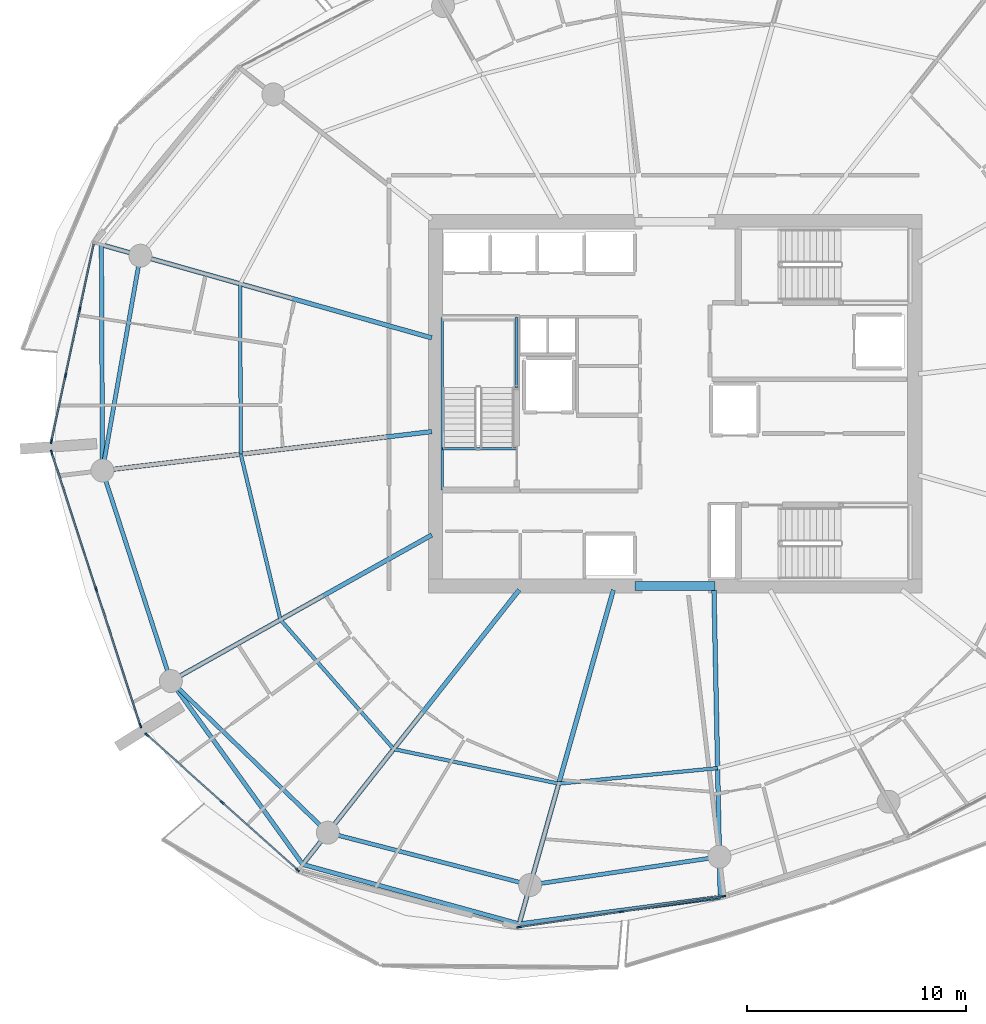
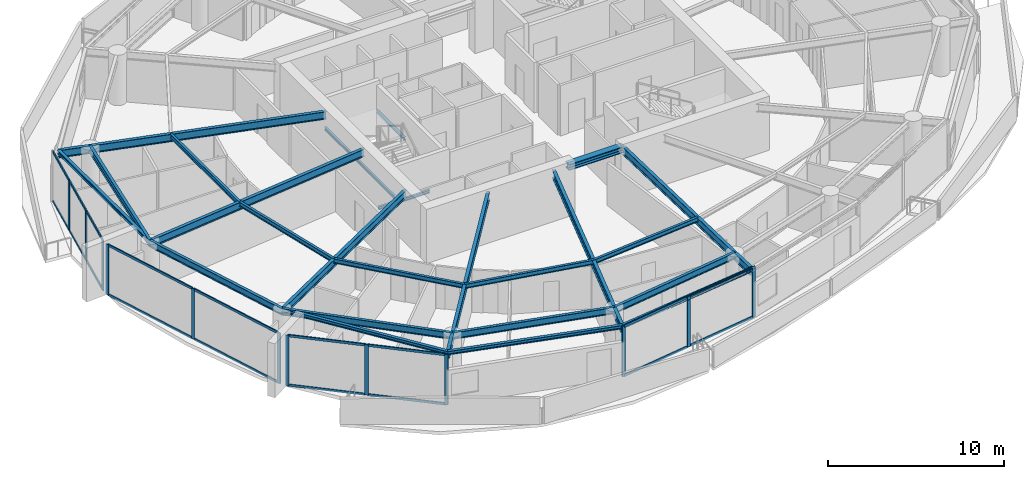
# One storey, part 5 of 20: 30 members, 24 beams, 4 elements without a shape of their own.
"""IFC4 building model written with IfcOpenShell, lengths in metres."""

from ifc_helpers import new_model, si_unit, direction, frame, origin, origin_2d, place, context, subcontext, project, spatial, rectangle, i_section, extrude, material, layer, layer_set, material_profile, profile_set, type_object, element, aggregate, save


model = new_model("IFC4")

# Units and contexts
model_context = context("Model", 3, precision=1e-05, world=origin(), true_north=direction((0.0, 1.0)))
body_context = subcontext(model_context, "Body", "Model", "MODEL_VIEW")
ifc_project = project(units=[si_unit("LENGTHUNIT", "METRE"), si_unit("AREAUNIT", "SQUARE_METRE"), si_unit("VOLUMEUNIT", "CUBIC_METRE"), si_unit("PLANEANGLEUNIT", "RADIAN"), si_unit("MASSUNIT", "GRAM", prefix="KILO")], contexts=[model_context])

# Site, building, storey
site_placement = place(None, origin())
site = spatial("IfcSite", under=ifc_project, at=site_placement, CompositionType="ELEMENT")
building_placement = place(site_placement, origin())
building = spatial("IfcBuilding", under=site, at=building_placement, Name="Kazma Halo Residences", CompositionType="ELEMENT")
storey_placement = place(building_placement, frame((0.0, 0.0, 210.300048828125)))
storey = spatial("IfcBuildingStorey", under=building, at=storey_placement, Name="L53", CompositionType="ELEMENT", Elevation=210.300048828125)

# Beams
ifc_material_1 = material(Name="Steel S355", Category="steel")
ifc_material_profile_1 = material_profile(ifc_material_1, i_section(OverallWidth=0.201904296875, OverallDepth=0.2470703125, WebThickness=0.00732421875, FlangeThickness=0.010986328125, FilletRadius=0.011962890625, at=origin_2d()), Name="W250x49.1")
ifc_profile_set_1 = profile_set([ifc_material_profile_1], Name="Steel S355")
beam_type_1 = type_object("IfcBeamType", Name="BM-BAL-CANT", PredefinedType="BEAM", material=ifc_profile_set_1)
for number, where, z_axis, x_axis, name in (
    (1, (22.19970703125, 49.276611328125, 3.37646484375), (0.004705663334, -0.999988928305, 0.0), (0.999988928305, 0.004705663334, 0.0), "L53 wave-balcony tie beam 07"),
    (2, (25.375, 29.329345703125, 3.37646484375), (0.583963922576, -0.811779611181, 0.0), (0.811779611181, 0.583963922576, 0.0), "L53 wave-balcony lead tie beam 09"),
):
    element("IfcBeam", number, at=place(storey_placement, frame(where, z_axis=z_axis, x_axis=x_axis)), inside=storey, type_object=beam_type_1, Name=name, PredefinedType="BEAM", context=body_context, shape_type="SweptSolid", body=[
        extrude(i_section(OverallWidth=0.201904296875, OverallDepth=0.2470703125, WebThickness=0.00732421875, FlangeThickness=0.010986328125, FilletRadius=0.011962890625, at=origin_2d()), origin(), (0.0, 0.0, 1.0), 10.324462890625),
    ])
beam_1_placement = place(storey_placement, frame((31.404052734375, 20.9482421875, 3.37646484375), z_axis=(0.964197026197, -0.265186905169, 0.0), x_axis=(0.265186905169, 0.964197026197, 0.0)))
element("IfcBeam", 3, at=beam_1_placement, inside=storey, type_object=beam_type_1, Name="L53 wave-balcony tie beam 10", PredefinedType="BEAM", context=body_context, shape_type="SweptSolid", body=[
    extrude(i_section(OverallWidth=0.201904296875, OverallDepth=0.2470703125, WebThickness=0.00732421875, FlangeThickness=0.010986328125, FilletRadius=0.011962890625, at=origin_2d()), origin(), (0.0, 0.0, 1.0), 10.258544921875),
])
beam_2_placement = place(storey_placement, frame((41.29541015625, 18.227783203125, 3.37646484375), z_axis=(0.99126671613, 0.131872277199, 0.0), x_axis=(-0.131872277199, 0.99126671613, 0.0)))
element("IfcBeam", 4, at=beam_2_placement, inside=storey, type_object=beam_type_1, Name="L53 wave-balcony tie beam 11", PredefinedType="BEAM", context=body_context, shape_type="SweptSolid", body=[
    extrude(i_section(OverallWidth=0.201904296875, OverallDepth=0.2470703125, WebThickness=0.00732421875, FlangeThickness=0.010986328125, FilletRadius=0.011962890625, at=origin_2d()), origin(), (0.0, 0.0, 1.0), 9.2734375),
])
ifc_material_profile_2 = material_profile(ifc_material_1, i_section(OverallWidth=0.408935546875, OverallDepth=0.425048828125, WebThickness=0.03271484375, FlangeThickness=0.052490234375, FilletRadius=0.02001953125, at=origin_2d()), Name="W360x421")
ifc_profile_set_2 = profile_set([ifc_material_profile_2], Name="Steel S355")
beam_type_2 = type_object("IfcBeamType", Name="BM-CORE-W360H", PredefinedType="BEAM", material=ifc_profile_set_2)
beam_3_placement = place(storey_placement, frame((46.60009765625, 33.675048828125, 3.287353515625), z_axis=(1.0, 0.0, 0.0), x_axis=(0.0, 1.0, 0.0)))
element("IfcBeam", 5, at=beam_3_placement, inside=storey, type_object=beam_type_2, Name="L53 core coupling beam S", PredefinedType="BEAM", context=body_context, shape_type="SweptSolid", body=[
    extrude(i_section(OverallWidth=0.408935546875, OverallDepth=0.425048828125, WebThickness=0.03271484375, FlangeThickness=0.052490234375, FilletRadius=0.02001953125, at=origin_2d()), origin(), (0.0, 0.0, 1.0), 3.64990234375),
])
ifc_material_profile_3 = material_profile(ifc_material_1, i_section(OverallWidth=0.208984375, OverallDepth=0.532958984375, WebThickness=0.01025390625, FlangeThickness=0.015625, FilletRadius=0.01611328125, at=origin_2d()), Name="W530x92")
ifc_profile_set_3 = profile_set([ifc_material_profile_3], Name="Steel S355")
beam_type_3 = type_object("IfcBeamType", Name="BM-RAD-W530", PredefinedType="BEAM", material=ifc_profile_set_3)
beam_4_placement = place(storey_placement, frame((37.300048828125, 45.017578125, 3.2333984375), z_axis=(-0.962450301448, 0.271457947467, 0.0), x_axis=(-0.271457947467, -0.962450301448, 0.0)))
element("IfcBeam", 6, at=beam_4_placement, inside=storey, type_object=beam_type_3, Name="L53 radial floor beam 07", PredefinedType="BEAM", context=body_context, shape_type="SweptSolid", body=[
    extrude(i_section(OverallWidth=0.208984375, OverallDepth=0.532958984375, WebThickness=0.01025390625, FlangeThickness=0.015625, FilletRadius=0.01611328125, at=origin_2d()), origin(), (0.0, 0.0, 1.0), 15.689453125),
])
beam_5_placement = place(storey_placement, frame((37.300048828125, 40.733642578125, 3.2333984375), z_axis=(-0.993068447674, -0.117537475875, 0.0), x_axis=(0.117537475875, -0.993068447674, 0.0)))
element("IfcBeam", 7, at=beam_5_placement, inside=storey, type_object=beam_type_3, Name="L53 radial floor beam 08", PredefinedType="BEAM", context=body_context, shape_type="SweptSolid", body=[
    extrude(i_section(OverallWidth=0.208984375, OverallDepth=0.532958984375, WebThickness=0.01025390625, FlangeThickness=0.015625, FilletRadius=0.01611328125, at=origin_2d()), origin(), (0.0, 0.0, 1.0), 15.15673828125),
])
beam_6_placement = place(storey_placement, frame((37.300048828125, 36.0078125, 3.2333984375), z_axis=(-0.872492308718, -0.488627845327, 0.0), x_axis=(0.488627845327, -0.872492308718, 0.0)))
element("IfcBeam", 8, at=beam_6_placement, inside=storey, type_object=beam_type_3, Name="L53 radial floor beam 09", PredefinedType="BEAM", context=body_context, shape_type="SweptSolid", body=[
    extrude(i_section(OverallWidth=0.208984375, OverallDepth=0.532958984375, WebThickness=0.01025390625, FlangeThickness=0.015625, FilletRadius=0.01611328125, at=origin_2d()), origin(), (0.0, 0.0, 1.0), 13.667724609375),
])
beam_7_placement = place(storey_placement, frame((41.299072265625, 33.5, 3.2333984375), z_axis=(-0.61909439419, -0.785316580165, 0.0), x_axis=(0.785316580165, -0.61909439419, 0.0)))
element("IfcBeam", 9, at=beam_7_placement, inside=storey, type_object=beam_type_3, Name="L53 radial floor beam 10", PredefinedType="BEAM", context=body_context, shape_type="SweptSolid", body=[
    extrude(i_section(OverallWidth=0.208984375, OverallDepth=0.532958984375, WebThickness=0.01025390625, FlangeThickness=0.015625, FilletRadius=0.01611328125, at=origin_2d()), origin(), (0.0, 0.0, 1.0), 15.983154296875),
])
beam_8_placement = place(storey_placement, frame((45.602783203125, 33.5, 3.2333984375), z_axis=(-0.271449932859, -0.962452561922, 0.0), x_axis=(0.962452561922, -0.271449932859, 0.0)))
element("IfcBeam", 10, at=beam_8_placement, inside=storey, type_object=beam_type_3, Name="L53 radial floor beam 11", PredefinedType="BEAM", context=body_context, shape_type="SweptSolid", body=[
    extrude(i_section(OverallWidth=0.208984375, OverallDepth=0.532958984375, WebThickness=0.01025390625, FlangeThickness=0.015625, FilletRadius=0.01611328125, at=origin_2d()), origin(), (0.0, 0.0, 1.0), 15.867919921875),
])
beam_9_placement = place(storey_placement, frame((50.199951171875, 33.5, 3.2333984375), z_axis=(0.020483658838, -0.99979018785, 0.0), x_axis=(0.99979018785, 0.020483658838, 0.0)))
element("IfcBeam", 11, at=beam_9_placement, inside=storey, type_object=beam_type_3, Name="L53 radial floor beam 12", PredefinedType="BEAM", context=body_context, shape_type="SweptSolid", body=[
    extrude(i_section(OverallWidth=0.208984375, OverallDepth=0.532958984375, WebThickness=0.01025390625, FlangeThickness=0.015625, FilletRadius=0.01611328125, at=origin_2d()), origin(), (0.0, 0.0, 1.0), 14.05224609375),
])
ifc_material_profile_4 = material_profile(ifc_material_1, i_section(OverallWidth=0.1650390625, OverallDepth=0.31005859375, WebThickness=0.005859375, FlangeThickness=0.009765625, FilletRadius=0.011962890625, at=origin_2d()), Name="W310x38.7")
ifc_profile_set_4 = profile_set([ifc_material_profile_4], Name="Steel S355")
beam_type_4 = type_object("IfcBeamType", Name="BM-SEC-W310B", PredefinedType="JOIST", material=ifc_profile_set_4)
beam_10_placement = place(storey_placement, frame((28.5419921875, 47.48779296875, 3.344970703125), z_axis=(0.003605218278, -0.999993501179, 0.0), x_axis=(0.999993501179, 0.003605218278, 0.0)))
element("IfcBeam", 12, at=beam_10_placement, inside=storey, type_object=beam_type_4, Name="L53 circumferential floor joist 07", PredefinedType="JOIST", context=body_context, shape_type="SweptSolid", body=[
    extrude(i_section(OverallWidth=0.1650390625, OverallDepth=0.31005859375, WebThickness=0.005859375, FlangeThickness=0.009765625, FilletRadius=0.011962890625, at=origin_2d()), origin(), (0.0, 0.0, 1.0), 7.78759765625),
])
beam_11_placement = place(storey_placement, frame((28.570068359375, 39.7001953125, 3.344970703125), z_axis=(0.233058429286, -0.972462733753, 0.0), x_axis=(0.972462733753, 0.233058429286, 0.0)))
element("IfcBeam", 13, at=beam_11_placement, inside=storey, type_object=beam_type_4, Name="L53 circumferential floor joist 08", PredefinedType="JOIST", context=body_context, shape_type="SweptSolid", body=[
    extrude(i_section(OverallWidth=0.1650390625, OverallDepth=0.31005859375, WebThickness=0.005859375, FlangeThickness=0.009765625, FilletRadius=0.011962890625, at=origin_2d()), origin(), (0.0, 0.0, 1.0), 7.7802734375),
])
beam_12_placement = place(storey_placement, frame((30.38330078125, 32.13427734375, 3.344970703125), z_axis=(0.658629944618, -0.75246700662, 0.0), x_axis=(0.75246700662, 0.658629944618, 0.0)))
element("IfcBeam", 14, at=beam_12_placement, inside=storey, type_object=beam_type_4, Name="L53 circumferential floor joist 09", PredefinedType="JOIST", context=body_context, shape_type="SweptSolid", body=[
    extrude(i_section(OverallWidth=0.1650390625, OverallDepth=0.31005859375, WebThickness=0.005859375, FlangeThickness=0.009765625, FilletRadius=0.011962890625, at=origin_2d()), origin(), (0.0, 0.0, 1.0), 7.85986328125),
])
beam_13_placement = place(storey_placement, frame((35.56005859375, 26.219970703125, 3.344970703125), z_axis=(0.978821484976, -0.204715657802, 0.0), x_axis=(0.204715657802, 0.978821484976, 0.0)))
element("IfcBeam", 15, at=beam_13_placement, inside=storey, type_object=beam_type_4, Name="L53 circumferential floor joist 10", PredefinedType="JOIST", context=body_context, shape_type="SweptSolid", body=[
    extrude(i_section(OverallWidth=0.1650390625, OverallDepth=0.31005859375, WebThickness=0.005859375, FlangeThickness=0.009765625, FilletRadius=0.011962890625, at=origin_2d()), origin(), (0.0, 0.0, 1.0), 7.707763671875),
])
beam_14_placement = place(storey_placement, frame((43.1044921875, 24.64208984375, 3.344970703125), z_axis=(0.995262165401, 0.097227681872, 0.0), x_axis=(-0.097227681872, 0.995262165401, 0.0)))
element("IfcBeam", 16, at=beam_14_placement, inside=storey, type_object=beam_type_4, Name="L53 circumferential floor joist 11", PredefinedType="JOIST", context=body_context, shape_type="SweptSolid", body=[
    extrude(i_section(OverallWidth=0.1650390625, OverallDepth=0.31005859375, WebThickness=0.005859375, FlangeThickness=0.009765625, FilletRadius=0.011962890625, at=origin_2d()), origin(), (0.0, 0.0, 1.0), 7.297119140625),
])
ifc_material_profile_5 = material_profile(ifc_material_1, i_section(OverallWidth=0.18994140625, OverallDepth=0.45703125, WebThickness=0.009033203125, FlangeThickness=0.014404296875, FilletRadius=0.01611328125, at=origin_2d()), Name="W460x74")
ifc_profile_set_5 = profile_set([ifc_material_profile_5], Name="Steel S355")
beam_type_5 = type_object("IfcBeamType", Name="BM-SPN-W460", PredefinedType="BEAM", material=ifc_profile_set_5)
beam_15_placement = place(storey_placement, frame((23.980224609375, 48.7744140625, 3.271484375), z_axis=(-0.173648484202, -0.984807698962, 0.0), x_axis=(0.984807698962, -0.173648484202, 0.0)))
element("IfcBeam", 17, at=beam_15_placement, inside=storey, type_object=beam_type_5, Name="L53 perimeter ring beam 07", PredefinedType="BEAM", context=body_context, shape_type="SweptSolid", body=[
    extrude(i_section(OverallWidth=0.18994140625, OverallDepth=0.45703125, WebThickness=0.009033203125, FlangeThickness=0.014404296875, FilletRadius=0.01611328125, at=origin_2d()), origin(), (0.0, 0.0, 1.0), 9.973876953125),
])
beam_16_placement = place(storey_placement, frame((22.248291015625, 38.9521484375, 3.271484375), z_axis=(0.309023327426, -0.951054458539, 0.0), x_axis=(0.951054458539, 0.309023327426, 0.0)))
element("IfcBeam", 18, at=beam_16_placement, inside=storey, type_object=beam_type_5, Name="L53 perimeter ring beam 08", PredefinedType="BEAM", context=body_context, shape_type="SweptSolid", body=[
    extrude(i_section(OverallWidth=0.18994140625, OverallDepth=0.45703125, WebThickness=0.009033203125, FlangeThickness=0.014404296875, FilletRadius=0.01611328125, at=origin_2d()), origin(), (0.0, 0.0, 1.0), 10.117919921875),
])
beam_17_placement = place(storey_placement, frame((25.375, 29.329345703125, 3.271484375), z_axis=(0.71933650181, -0.694661786169, 0.0), x_axis=(0.694661786169, 0.71933650181, 0.0)))
element("IfcBeam", 19, at=beam_17_placement, inside=storey, type_object=beam_type_5, Name="L53 perimeter ring beam 09", PredefinedType="BEAM", context=body_context, shape_type="SweptSolid", body=[
    extrude(i_section(OverallWidth=0.18994140625, OverallDepth=0.45703125, WebThickness=0.009033203125, FlangeThickness=0.014404296875, FilletRadius=0.01611328125, at=origin_2d()), origin(), (0.0, 0.0, 1.0), 9.9736328125),
])
beam_18_placement = place(storey_placement, frame((32.54931640625, 22.401123046875, 3.271484375), z_axis=(0.968120950739, -0.25048318255, 0.0), x_axis=(0.25048318255, 0.968120950739, 0.0)))
element("IfcBeam", 20, at=beam_18_placement, inside=storey, type_object=beam_type_5, Name="L53 perimeter ring beam 10", PredefinedType="BEAM", context=body_context, shape_type="SweptSolid", body=[
    extrude(i_section(OverallWidth=0.18994140625, OverallDepth=0.45703125, WebThickness=0.009033203125, FlangeThickness=0.014404296875, FilletRadius=0.01611328125, at=origin_2d()), origin(), (0.0, 0.0, 1.0), 9.552734375),
])
beam_19_placement = place(storey_placement, frame((41.797607421875, 20.00830078125, 3.271484375), z_axis=(0.98903439143, 0.147685383732, 0.0), x_axis=(-0.147685383732, 0.98903439143, 0.0)))
element("IfcBeam", 21, at=beam_19_placement, inside=storey, type_object=beam_type_5, Name="L53 perimeter ring beam 11", PredefinedType="BEAM", context=body_context, shape_type="SweptSolid", body=[
    extrude(i_section(OverallWidth=0.18994140625, OverallDepth=0.45703125, WebThickness=0.009033203125, FlangeThickness=0.014404296875, FilletRadius=0.01611328125, at=origin_2d()), origin(), (0.0, 0.0, 1.0), 8.748291015625),
])
ifc_material_profile_6 = material_profile(ifc_material_1, i_section(OverallWidth=0.133056640625, OverallDepth=0.20703125, WebThickness=0.005859375, FlangeThickness=0.00830078125, FilletRadius=0.010009765625, at=origin_2d()), Name="W200x26.6")
ifc_profile_set_6 = profile_set([ifc_material_profile_6], Name="Steel S355")
beam_type_6 = type_object("IfcBeamType", Name="BM-TRIM-W200", PredefinedType="BEAM", material=ifc_profile_set_6)
beam_20_placement = place(storey_placement, frame((37.800048828125, 39.949951171875, -0.360107421875), z_axis=(1.0, 0.0, 0.0), x_axis=(0.0, 1.0, 0.0)))
element("IfcBeam", 22, at=beam_20_placement, inside=storey, type_object=beam_type_6, Name="L53 ST-01 floor landing support beam", PredefinedType="BEAM", context=body_context, shape_type="SweptSolid", body=[
    extrude(i_section(OverallWidth=0.133056640625, OverallDepth=0.20703125, WebThickness=0.005859375, FlangeThickness=0.00830078125, FilletRadius=0.010009765625, at=origin_2d()), origin(), (0.0, 0.0, 1.0), 3.3798828125),
])
beam_21_placement = place(storey_placement, frame((37.780029296875, 38.06005859375, 1.570068359375), z_axis=(0.0, 1.0, 0.0), x_axis=(-1.0, 0.0, 0.0)))
element("IfcBeam", 23, at=beam_21_placement, inside=storey, type_object=beam_type_6, Name="L53 ST-01 landing west wall ledger", PredefinedType="BEAM", context=body_context, shape_type="SweptSolid", body=[
    extrude(i_section(OverallWidth=0.133056640625, OverallDepth=0.20703125, WebThickness=0.005859375, FlangeThickness=0.00830078125, FilletRadius=0.010009765625, at=origin_2d()), origin(), (0.0, 0.0, 1.0), 7.8798828125),
])
beam_22_placement = place(storey_placement, frame((41.179931640625, 42.75, 1.570068359375), z_axis=(0.0, 1.0, 0.0), x_axis=(-1.0, 0.0, 0.0)))
element("IfcBeam", 24, at=beam_22_placement, inside=storey, type_object=beam_type_6, Name="L53 ST-01 landing east wall ledger", PredefinedType="BEAM", context=body_context, shape_type="SweptSolid", body=[
    extrude(i_section(OverallWidth=0.133056640625, OverallDepth=0.20703125, WebThickness=0.005859375, FlangeThickness=0.00830078125, FilletRadius=0.010009765625, at=origin_2d()), origin(), (0.0, 0.0, 1.0), 3.18994140625),
])

# Curtain wall, members
ifc_material_2 = material(Name="Aluminium AW-6063 T6 and Triple-Silver Low-E Glass", Category="aluminium")
ifc_layer = layer(ifc_material_2, 0.219970703125)
ifc_layer_set = layer_set([ifc_layer], Name="Aluminium AW-6063 T6 and Triple-Silver Low-E Glass")
curtain_wall_type = type_object("IfcCurtainWallType", Name="CW-SYS-4", PredefinedType="NOTDEFINED", material=ifc_layer_set)
curtain_wall_1_placement = place(storey_placement, origin())
curtain_wall_1 = element("IfcCurtainWall", 25, at=curtain_wall_1_placement, inside=storey, type_object=curtain_wall_type, Name="L53 unitised curtain wall B07", PredefinedType="NOTDEFINED")
ifc_material_3 = material(Name="Aluminium AW-6063 T6", Category="aluminium")
ifc_material_profile_7 = material_profile(ifc_material_3, rectangle(XDim=0.074951171875, YDim=0.219970703125, at=origin_2d()), Name="CWM-75x220")
ifc_profile_set_7 = profile_set([ifc_material_profile_7], Name="Aluminium AW-6063 T6")
member_type_1 = type_object("IfcMemberType", Name="CW-SYS-4-MUL", PredefinedType="MULLION", material=ifc_profile_set_7)
member_1_placement = place(storey_placement, frame((21.212890625, 46.3330078125, 0.0), z_axis=(0.0, 0.0, 1.0), x_axis=(0.977768017212, -0.209689543175, 0.0)))
member_1 = element("IfcMember", 26, at=member_1_placement, type_object=member_type_1, Name="CWS-4 mullion 2", PredefinedType="MULLION", context=body_context, shape_type="SweptSolid", body=[
    extrude(rectangle(XDim=0.074951171875, YDim=0.219970703125, at=origin_2d()), origin(), (0.0, 0.0, 1.0), 3.5),
])
member_2_placement = place(storey_placement, frame((20.561279296875, 43.295166015625, 0.0), z_axis=(0.0, 0.0, 1.0), x_axis=(0.977768017212, -0.209689543175, 0.0)))
member_2 = element("IfcMember", 27, at=member_2_placement, type_object=member_type_1, Name="CWS-4 mullion 3", PredefinedType="MULLION", context=body_context, shape_type="SweptSolid", body=[
    extrude(rectangle(XDim=0.074951171875, YDim=0.219970703125, at=origin_2d()), origin(), (0.0, 0.0, 1.0), 3.5),
])
member_3_placement = place(storey_placement, frame((19.917724609375, 40.2939453125, 0.0), z_axis=(0.0, 0.0, 1.0), x_axis=(0.977768017212, -0.209689543175, 0.0)))
member_3 = element("IfcMember", 28, at=member_3_placement, type_object=member_type_1, Name="CWS-4 mullion 4", PredefinedType="MULLION", context=body_context, shape_type="SweptSolid", body=[
    extrude(rectangle(XDim=0.074951171875, YDim=0.219970703125, at=origin_2d()), origin(), (0.0, 0.0, 1.0), 3.5),
])

curtain_wall_2_placement = place(storey_placement, origin())
curtain_wall_2 = element("IfcCurtainWall", 29, at=curtain_wall_2_placement, inside=storey, type_object=curtain_wall_type, Name="L53 unitised curtain wall B08", PredefinedType="NOTDEFINED")
member_4_placement = place(storey_placement, frame((19.9287109375, 39.77880859375, 0.0), z_axis=(0.0, 0.0, 1.0), x_axis=(0.951056893636, 0.309015833038, 0.0)))
member_4 = element("IfcMember", 30, at=member_4_placement, type_object=member_type_1, Name="CWS-4 mullion 1", PredefinedType="MULLION", context=body_context, shape_type="SweptSolid", body=[
    extrude(rectangle(XDim=0.074951171875, YDim=0.219970703125, at=origin_2d()), origin(), (0.0, 0.0, 1.0), 3.5),
])
member_5_placement = place(storey_placement, frame((21.95654296875, 33.5380859375, 0.0), z_axis=(0.0, 0.0, 1.0), x_axis=(0.951056893636, 0.309015833038, 0.0)))
member_5 = element("IfcMember", 31, at=member_5_placement, type_object=member_type_1, Name="CWS-4 mullion 2", PredefinedType="MULLION", context=body_context, shape_type="SweptSolid", body=[
    extrude(rectangle(XDim=0.074951171875, YDim=0.219970703125, at=origin_2d()), origin(), (0.0, 0.0, 1.0), 3.5),
])
member_6_placement = place(storey_placement, frame((23.984375, 27.297119140625, 0.0), z_axis=(0.0, 0.0, 1.0), x_axis=(0.951056893636, 0.309015833038, 0.0)))
member_6 = element("IfcMember", 32, at=member_6_placement, type_object=member_type_1, Name="CWS-4 mullion 3", PredefinedType="MULLION", context=body_context, shape_type="SweptSolid", body=[
    extrude(rectangle(XDim=0.074951171875, YDim=0.219970703125, at=origin_2d()), origin(), (0.0, 0.0, 1.0), 3.5),
])

curtain_wall_3_placement = place(storey_placement, origin())
curtain_wall_3 = element("IfcCurtainWall", 33, at=curtain_wall_3_placement, inside=storey, type_object=curtain_wall_type, Name="L53 unitised curtain wall B09", PredefinedType="NOTDEFINED")
member_7_placement = place(storey_placement, frame((24.2783203125, 26.873779296875, 0.0), z_axis=(0.0, 0.0, 1.0), x_axis=(0.667784328806, 0.744354814723, 0.0)))
member_7 = element("IfcMember", 34, at=member_7_placement, type_object=member_type_1, Name="CWS-4 mullion 1", PredefinedType="MULLION", context=body_context, shape_type="SweptSolid", body=[
    extrude(rectangle(XDim=0.074951171875, YDim=0.219970703125, at=origin_2d()), origin(), (0.0, 0.0, 1.0), 3.5),
])
member_8_placement = place(storey_placement, frame((27.719482421875, 23.786865234375, 0.0), z_axis=(0.0, 0.0, 1.0), x_axis=(0.667784328806, 0.744354814723, 0.0)))
member_8 = element("IfcMember", 35, at=member_8_placement, type_object=member_type_1, Name="CWS-4 mullion 2", PredefinedType="MULLION", context=body_context, shape_type="SweptSolid", body=[
    extrude(rectangle(XDim=0.074951171875, YDim=0.219970703125, at=origin_2d()), origin(), (0.0, 0.0, 1.0), 3.5),
])
member_9_placement = place(storey_placement, frame((31.160400390625, 20.69970703125, 0.0), z_axis=(0.0, 0.0, 1.0), x_axis=(0.667784328806, 0.744354814723, 0.0)))
member_9 = element("IfcMember", 36, at=member_9_placement, type_object=member_type_1, Name="CWS-4 mullion 3", PredefinedType="MULLION", context=body_context, shape_type="SweptSolid", body=[
    extrude(rectangle(XDim=0.074951171875, YDim=0.219970703125, at=origin_2d()), origin(), (0.0, 0.0, 1.0), 3.5),
])

curtain_wall_4_placement = place(storey_placement, origin())
curtain_wall_4 = element("IfcCurtainWall", 37, at=curtain_wall_4_placement, inside=storey, type_object=curtain_wall_type, Name="L53 unitised curtain wall B11", PredefinedType="NOTDEFINED")
member_10_placement = place(storey_placement, frame((41.291259765625, 18.086669921875, 0.0), z_axis=(0.0, 0.0, 1.0), x_axis=(-0.148772639188, 0.988871428361, 0.0)))
member_10 = element("IfcMember", 38, at=member_10_placement, type_object=member_type_1, Name="CWS-4 mullion 1", PredefinedType="MULLION", context=body_context, shape_type="SweptSolid", body=[
    extrude(rectangle(XDim=0.074951171875, YDim=0.219970703125, at=origin_2d()), origin(), (0.0, 0.0, 1.0), 3.5),
])
member_11_placement = place(storey_placement, frame((45.958740234375, 18.788818359375, 0.0), z_axis=(0.0, 0.0, 1.0), x_axis=(-0.148772639188, 0.988871428361, 0.0)))
member_11 = element("IfcMember", 39, at=member_11_placement, type_object=member_type_1, Name="CWS-4 mullion 2", PredefinedType="MULLION", context=body_context, shape_type="SweptSolid", body=[
    extrude(rectangle(XDim=0.074951171875, YDim=0.219970703125, at=origin_2d()), origin(), (0.0, 0.0, 1.0), 3.5),
])
member_12_placement = place(storey_placement, frame((50.626220703125, 19.490966796875, 0.0), z_axis=(0.0, 0.0, 1.0), x_axis=(-0.148772639188, 0.988871428361, 0.0)))
member_12 = element("IfcMember", 40, at=member_12_placement, type_object=member_type_1, Name="CWS-4 mullion 3", PredefinedType="MULLION", context=body_context, shape_type="SweptSolid", body=[
    extrude(rectangle(XDim=0.074951171875, YDim=0.219970703125, at=origin_2d()), origin(), (0.0, 0.0, 1.0), 3.5),
])

# Member
ifc_material_profile_8 = material_profile(ifc_material_3, rectangle(XDim=0.074951171875, YDim=0.1650390625, at=origin_2d()), Name="CWT-75x165")
ifc_profile_set_8 = profile_set([ifc_material_profile_8], Name="Aluminium AW-6063 T6")
member_type_2 = type_object("IfcMemberType", Name="CW-SYS-4-TRN", PredefinedType="USERDEFINED", material=ifc_profile_set_8)
member_13_placement = place(storey_placement, frame((21.8486328125, 49.297607421875, 0.037353515625), z_axis=(-0.209707268418, -0.977764215735, 0.0), x_axis=(0.977764215735, -0.209707268418, 0.0)))
member_13 = element("IfcMember", 41, at=member_13_placement, type_object=member_type_2, Name="CWS-4 transom 1.1", ObjectType="TRANSOM", PredefinedType="USERDEFINED", context=body_context, shape_type="SweptSolid", body=[
    extrude(rectangle(XDim=0.074951171875, YDim=0.1650390625, at=origin_2d()), origin(), (0.0, 0.0, 1.0), 2.994384765625),
])

member_14_placement = place(storey_placement, frame((21.8486328125, 49.297607421875, 3.46240234375), z_axis=(-0.209707268418, -0.977764215735, 0.0), x_axis=(0.977764215735, -0.209707268418, 0.0)))
member_14 = element("IfcMember", 42, at=member_14_placement, type_object=member_type_2, Name="CWS-4 transom 1.2", ObjectType="TRANSOM", PredefinedType="USERDEFINED", context=body_context, shape_type="SweptSolid", body=[
    extrude(rectangle(XDim=0.074951171875, YDim=0.1650390625, at=origin_2d()), origin(), (0.0, 0.0, 1.0), 2.994384765625),
])

member_15_placement = place(storey_placement, frame((21.205078125, 46.29638671875, 0.037353515625), z_axis=(-0.209677559804, -0.977770587057, 0.0), x_axis=(0.977770587057, -0.209677559804, 0.0)))
member_15 = element("IfcMember", 43, at=member_15_placement, type_object=member_type_2, Name="CWS-4 transom 2.1", ObjectType="TRANSOM", PredefinedType="USERDEFINED", context=body_context, shape_type="SweptSolid", body=[
    extrude(rectangle(XDim=0.074951171875, YDim=0.1650390625, at=origin_2d()), origin(), (0.0, 0.0, 1.0), 3.031982421875),
])

member_16_placement = place(storey_placement, frame((21.205078125, 46.29638671875, 3.46240234375), z_axis=(-0.209677559804, -0.977770587057, 0.0), x_axis=(0.977770587057, -0.209677559804, 0.0)))
member_16 = element("IfcMember", 44, at=member_16_placement, type_object=member_type_2, Name="CWS-4 transom 2.2", ObjectType="TRANSOM", PredefinedType="USERDEFINED", context=body_context, shape_type="SweptSolid", body=[
    extrude(rectangle(XDim=0.074951171875, YDim=0.1650390625, at=origin_2d()), origin(), (0.0, 0.0, 1.0), 3.031982421875),
])

member_17_placement = place(storey_placement, frame((20.553466796875, 43.258544921875, 0.037353515625), z_axis=(-0.209690551496, -0.97776780097, 0.0), x_axis=(0.97776780097, -0.209690551496, 0.0)))
member_17 = element("IfcMember", 45, at=member_17_placement, type_object=member_type_2, Name="CWS-4 transom 3.1", ObjectType="TRANSOM", PredefinedType="USERDEFINED", context=body_context, shape_type="SweptSolid", body=[
    extrude(rectangle(XDim=0.074951171875, YDim=0.1650390625, at=origin_2d()), origin(), (0.0, 0.0, 1.0), 2.99462890625),
])

member_18_placement = place(storey_placement, frame((20.553466796875, 43.258544921875, 3.46240234375), z_axis=(-0.209690551496, -0.97776780097, 0.0), x_axis=(0.97776780097, -0.209690551496, 0.0)))
member_18 = element("IfcMember", 46, at=member_18_placement, type_object=member_type_2, Name="CWS-4 transom 3.2", ObjectType="TRANSOM", PredefinedType="USERDEFINED", context=body_context, shape_type="SweptSolid", body=[
    extrude(rectangle(XDim=0.074951171875, YDim=0.1650390625, at=origin_2d()), origin(), (0.0, 0.0, 1.0), 2.99462890625),
])

aggregate(curtain_wall_1, [member_1, member_2, member_3, member_13, member_14, member_15, member_16, member_17, member_18])

member_19_placement = place(storey_placement, frame((19.9404296875, 39.7431640625, 0.037353515625), z_axis=(0.30902650142, -0.951053427217, 0.0), x_axis=(0.951053427217, 0.30902650142, 0.0)))
member_19 = element("IfcMember", 47, at=member_19_placement, type_object=member_type_2, Name="CWS-4 transom 1.1", ObjectType="TRANSOM", PredefinedType="USERDEFINED", context=body_context, shape_type="SweptSolid", body=[
    extrude(rectangle(XDim=0.074951171875, YDim=0.1650390625, at=origin_2d()), origin(), (0.0, 0.0, 1.0), 6.487060546875),
])

member_20_placement = place(storey_placement, frame((19.9404296875, 39.7431640625, 3.46240234375), z_axis=(0.30902650142, -0.951053427217, 0.0), x_axis=(0.951053427217, 0.30902650142, 0.0)))
member_20 = element("IfcMember", 48, at=member_20_placement, type_object=member_type_2, Name="CWS-4 transom 1.2", ObjectType="TRANSOM", PredefinedType="USERDEFINED", context=body_context, shape_type="SweptSolid", body=[
    extrude(rectangle(XDim=0.074951171875, YDim=0.1650390625, at=origin_2d()), origin(), (0.0, 0.0, 1.0), 6.487060546875),
])

member_21_placement = place(storey_placement, frame((21.968017578125, 33.50244140625, 0.037353515625), z_axis=(0.309015440644, -0.951057021132, 0.0), x_axis=(0.951057021132, 0.309015440644, 0.0)))
member_21 = element("IfcMember", 49, at=member_21_placement, type_object=member_type_2, Name="CWS-4 transom 2.1", ObjectType="TRANSOM", PredefinedType="USERDEFINED", context=body_context, shape_type="SweptSolid", body=[
    extrude(rectangle(XDim=0.074951171875, YDim=0.1650390625, at=origin_2d()), origin(), (0.0, 0.0, 1.0), 6.487060546875),
])

member_22_placement = place(storey_placement, frame((21.968017578125, 33.50244140625, 3.46240234375), z_axis=(0.309015440644, -0.951057021132, 0.0), x_axis=(0.951057021132, 0.309015440644, 0.0)))
member_22 = element("IfcMember", 50, at=member_22_placement, type_object=member_type_2, Name="CWS-4 transom 2.2", ObjectType="TRANSOM", PredefinedType="USERDEFINED", context=body_context, shape_type="SweptSolid", body=[
    extrude(rectangle(XDim=0.074951171875, YDim=0.1650390625, at=origin_2d()), origin(), (0.0, 0.0, 1.0), 6.487060546875),
])

aggregate(curtain_wall_2, [member_4, member_5, member_6, member_19, member_20, member_21, member_22])

member_23_placement = place(storey_placement, frame((24.30615234375, 26.848876953125, 0.037353515625), z_axis=(0.744344906673, -0.667795372783, 0.0), x_axis=(0.667795372783, 0.744344906673, 0.0)))
member_23 = element("IfcMember", 51, at=member_23_placement, type_object=member_type_2, Name="CWS-4 transom 1.1", ObjectType="TRANSOM", PredefinedType="USERDEFINED", context=body_context, shape_type="SweptSolid", body=[
    extrude(rectangle(XDim=0.074951171875, YDim=0.1650390625, at=origin_2d()), origin(), (0.0, 0.0, 1.0), 4.5478515625),
])

member_24_placement = place(storey_placement, frame((24.30615234375, 26.848876953125, 3.46240234375), z_axis=(0.744344906673, -0.667795372783, 0.0), x_axis=(0.667795372783, 0.744344906673, 0.0)))
member_24 = element("IfcMember", 52, at=member_24_placement, type_object=member_type_2, Name="CWS-4 transom 1.2", ObjectType="TRANSOM", PredefinedType="USERDEFINED", context=body_context, shape_type="SweptSolid", body=[
    extrude(rectangle(XDim=0.074951171875, YDim=0.1650390625, at=origin_2d()), origin(), (0.0, 0.0, 1.0), 4.5478515625),
])

member_25_placement = place(storey_placement, frame((27.747314453125, 23.76171875, 0.037353515625), z_axis=(0.744344906673, -0.667795372783, 0.0), x_axis=(0.667795372783, 0.744344906673, 0.0)))
member_25 = element("IfcMember", 53, at=member_25_placement, type_object=member_type_2, Name="CWS-4 transom 2.1", ObjectType="TRANSOM", PredefinedType="USERDEFINED", context=body_context, shape_type="SweptSolid", body=[
    extrude(rectangle(XDim=0.074951171875, YDim=0.1650390625, at=origin_2d()), origin(), (0.0, 0.0, 1.0), 4.5478515625),
])

member_26_placement = place(storey_placement, frame((27.747314453125, 23.76171875, 3.46240234375), z_axis=(0.744344906673, -0.667795372783, 0.0), x_axis=(0.667795372783, 0.744344906673, 0.0)))
member_26 = element("IfcMember", 54, at=member_26_placement, type_object=member_type_2, Name="CWS-4 transom 2.2", ObjectType="TRANSOM", PredefinedType="USERDEFINED", context=body_context, shape_type="SweptSolid", body=[
    extrude(rectangle(XDim=0.074951171875, YDim=0.1650390625, at=origin_2d()), origin(), (0.0, 0.0, 1.0), 4.5478515625),
])

aggregate(curtain_wall_3, [member_7, member_8, member_9, member_23, member_24, member_25, member_26])

member_27_placement = place(storey_placement, frame((41.328369140625, 18.092041015625, 0.037353515625), z_axis=(0.988867623216, 0.148797929272, 0.0), x_axis=(-0.148797929272, 0.988867623216, 0.0)))
member_27 = element("IfcMember", 55, at=member_27_placement, type_object=member_type_2, Name="CWS-4 transom 1.1", ObjectType="TRANSOM", PredefinedType="USERDEFINED", context=body_context, shape_type="SweptSolid", body=[
    extrude(rectangle(XDim=0.074951171875, YDim=0.1650390625, at=origin_2d()), origin(), (0.0, 0.0, 1.0), 4.64501953125),
])

member_28_placement = place(storey_placement, frame((41.328369140625, 18.092041015625, 3.46240234375), z_axis=(0.988867623216, 0.148797929272, 0.0), x_axis=(-0.148797929272, 0.988867623216, 0.0)))
member_28 = element("IfcMember", 56, at=member_28_placement, type_object=member_type_2, Name="CWS-4 transom 1.2", ObjectType="TRANSOM", PredefinedType="USERDEFINED", context=body_context, shape_type="SweptSolid", body=[
    extrude(rectangle(XDim=0.074951171875, YDim=0.1650390625, at=origin_2d()), origin(), (0.0, 0.0, 1.0), 4.64501953125),
])

member_29_placement = place(storey_placement, frame((45.995849609375, 18.79443359375, 0.037353515625), z_axis=(0.988876518566, 0.148738801357, 0.0), x_axis=(-0.148738801357, 0.988876518566, 0.0)))
member_29 = element("IfcMember", 57, at=member_29_placement, type_object=member_type_2, Name="CWS-4 transom 2.1", ObjectType="TRANSOM", PredefinedType="USERDEFINED", context=body_context, shape_type="SweptSolid", body=[
    extrude(rectangle(XDim=0.074951171875, YDim=0.1650390625, at=origin_2d()), origin(), (0.0, 0.0, 1.0), 4.645263671875),
])

member_30_placement = place(storey_placement, frame((45.995849609375, 18.79443359375, 3.46240234375), z_axis=(0.988876518566, 0.148738801357, 0.0), x_axis=(-0.148738801357, 0.988876518566, 0.0)))
member_30 = element("IfcMember", 58, at=member_30_placement, type_object=member_type_2, Name="CWS-4 transom 2.2", ObjectType="TRANSOM", PredefinedType="USERDEFINED", context=body_context, shape_type="SweptSolid", body=[
    extrude(rectangle(XDim=0.074951171875, YDim=0.1650390625, at=origin_2d()), origin(), (0.0, 0.0, 1.0), 4.645263671875),
])

aggregate(curtain_wall_4, [member_10, member_11, member_12, member_27, member_28, member_29, member_30])

save(model, "model.ifc")
